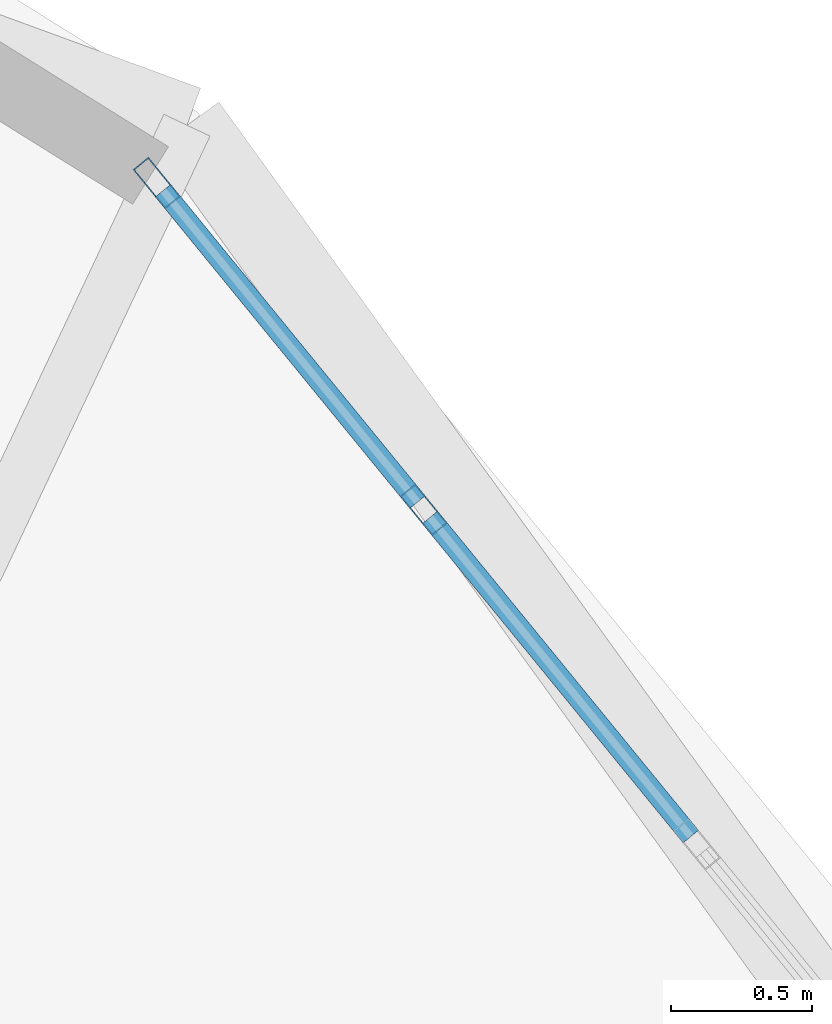
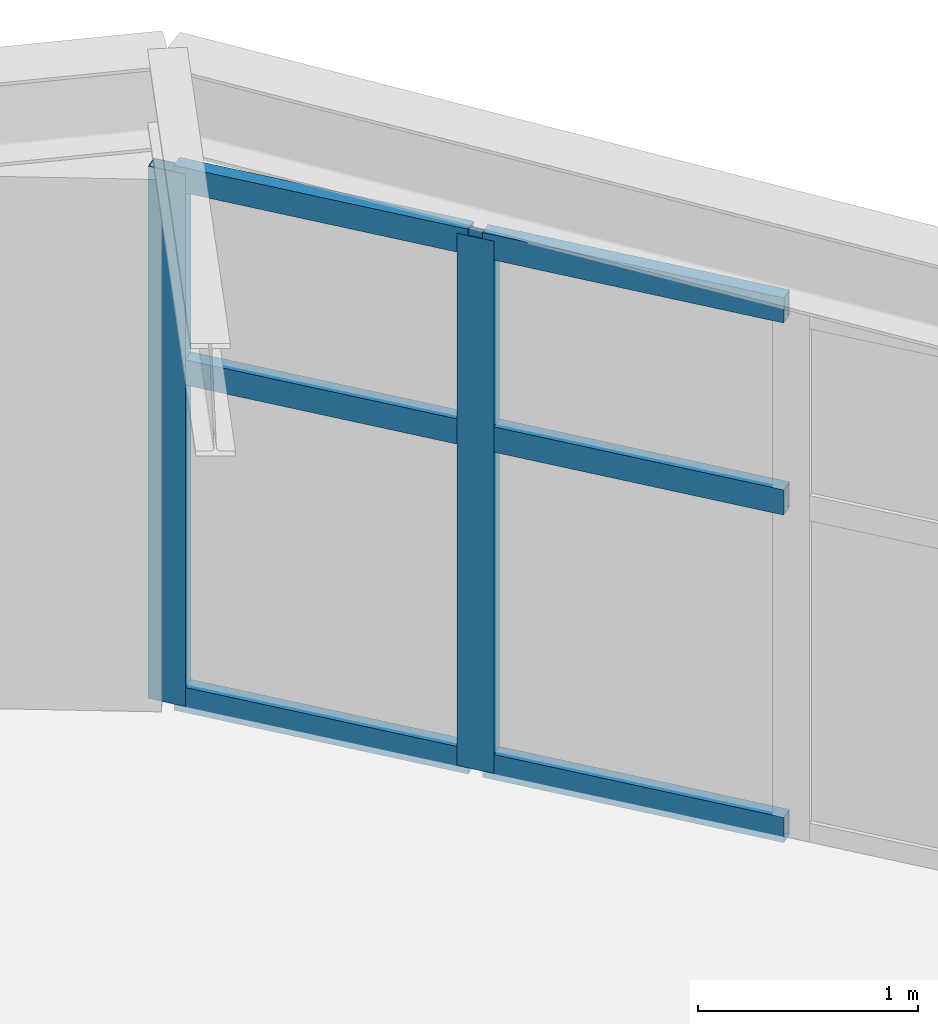
# One storey, part 8 of 19: 8 members, 1 element without a shape of its own.
"""IFC4 building model written with IfcOpenShell, lengths in metres."""

import ifcopenshell
import ifcopenshell.guid

model = None  # the IFC model being written
_history = None  # IfcOwnerHistory: only IFC2X3 demands one
_inside = {}  # id of a spatial element -> (the spatial element, [elements in it])
_under = {}  # id of a project, library or spatial element -> (it, [spatial elements below it])
_declared = {}  # id of a project -> (the project, [libraries it declares])
_typed = {}  # id of a type object -> (the type object, [elements of that type])
_made_of = {}  # id of a material, layer set ... -> (it, [elements and type objects made of it])


def new_model(schema):
    """Start an empty IFC model of exactly this schema.

    Asked for "IFC4X3", IfcOpenShell would pick the latest addendum, in which some entities
    have other attributes; the version numbers below select the first issue.
    IFC2X3 requires an IfcOwnerHistory on every rooted entity: one is made here for all.
    """
    global model, _history
    if schema == "IFC4X3":
        model = ifcopenshell.file(schema_version=(4, 3, 0, 0))
    else:
        model = ifcopenshell.file(schema=schema)
    _inside.clear()
    _under.clear()
    _declared.clear()
    _typed.clear()
    _made_of.clear()
    _history = None
    if model.schema == "IFC2X3":
        org = make("IfcOrganization", Name="unknown")
        user = make(
            "IfcPersonAndOrganization",
            ThePerson=make("IfcPerson", FamilyName="unknown"),
            TheOrganization=org,
        )
        app = make(
            "IfcApplication",
            ApplicationDeveloper=org,
            Version="unknown",
            ApplicationFullName="unknown",
            ApplicationIdentifier="unknown",
        )
        _history = make(
            "IfcOwnerHistory",
            OwningUser=user,
            OwningApplication=app,
            ChangeAction="ADDED",
            CreationDate=0,
        )
    return model


def make(cls, **values):
    """One entity of the class cls with the attributes given. An attribute that is None is left unset."""
    return model.create_entity(
        cls, **{name: value for name, value in values.items() if value is not None}
    )


def rooted(cls, **values):
    """An entity with a GlobalId (a new one), such as an element, a storey or a relation."""
    return make(cls, GlobalId=ifcopenshell.guid.new(), OwnerHistory=_history, **values)


def si_unit(unit_type, name, prefix=None):
    """IfcSIUnit, for example si_unit("LENGTHUNIT", "METRE", prefix="MILLI")."""
    return make("IfcSIUnit", UnitType=unit_type, Prefix=prefix, Name=name)


def assignment(units):
    """IfcUnitAssignment: the units of a project."""
    return None if units is None else make("IfcUnitAssignment", Units=units)


def point(xyz):
    """IfcCartesianPoint."""
    return None if xyz is None else make("IfcCartesianPoint", Coordinates=xyz)


def direction(xyz):
    """IfcDirection."""
    return None if xyz is None else make("IfcDirection", DirectionRatios=xyz)


def frame(location, z_axis=None, x_axis=None):
    """IfcAxis2Placement3D, a coordinate frame: its origin and axes. An axis left out is left unset."""
    return make(
        "IfcAxis2Placement3D",
        Location=point(location),
        Axis=direction(z_axis),
        RefDirection=direction(x_axis),
    )


def frame_2d(location, x_axis=None):
    """IfcAxis2Placement2D, a coordinate frame in the plane: its origin and x axis."""
    return make(
        "IfcAxis2Placement2D", Location=point(location), RefDirection=direction(x_axis)
    )


def origin():
    """The frame at (0, 0, 0) with its axes left unset."""
    return frame((0.0, 0.0, 0.0))


def origin_2d():
    """The frame at (0, 0) in the plane with its x axis left unset."""
    return frame_2d((0.0, 0.0))


def place(relative_to, where):
    """IfcLocalPlacement: puts the frame where relative to a parent placement (None: the world)."""
    return make(
        "IfcLocalPlacement", PlacementRelTo=relative_to, RelativePlacement=where
    )


def context(
    kind, dimensions, precision=None, world=None, true_north=None, identifier=None
):
    """IfcGeometricRepresentationContext, for example the 3D "Model" context."""
    return make(
        "IfcGeometricRepresentationContext",
        ContextIdentifier=identifier,
        ContextType=kind,
        CoordinateSpaceDimension=dimensions,
        Precision=precision,
        WorldCoordinateSystem=world,
        TrueNorth=true_north,
    )


def subcontext(parent, identifier, kind, view, scale=None):
    """IfcGeometricRepresentationSubContext, for example "Body" below "Model"."""
    return make(
        "IfcGeometricRepresentationSubContext",
        ContextIdentifier=identifier,
        ContextType=kind,
        ParentContext=parent,
        TargetScale=scale,
        TargetView=view,
    )


def project(units=None, contexts=None):
    """IfcProject with its units and contexts."""
    return rooted(
        "IfcProject",
        Name="project",
        RepresentationContexts=contexts,
        UnitsInContext=assignment(units),
    )


def spatial(cls, under=None, at=None, **own):
    """A site, building, storey or space (cls), placed at a placement, below another one or the project."""
    s = rooted(cls, ObjectPlacement=at, **own)
    if under is not None:
        _under.setdefault(under.id(), (under, []))[1].append(s)
    return s


def profile(cls, at=None, kind="AREA", **sizes):
    """A parametric profile (cls). Its sizes go by their IFC names, for example OverallWidth=200.0."""
    return make(cls, ProfileType=kind, Position=at, **sizes)


def hollow_rectangle(**sizes):
    """IfcRectangleHollowProfileDef."""
    return profile("IfcRectangleHollowProfileDef", **sizes)


def extrude(swept, where, along, depth):
    """IfcExtrudedAreaSolid: the profile swept, set in the frame where, extruded along a direction by depth."""
    return make(
        "IfcExtrudedAreaSolid",
        SweptArea=swept,
        Position=where,
        ExtrudedDirection=direction(along),
        Depth=depth,
    )


def shape(context_of_items, identifier, shape_type, items):
    """IfcShapeRepresentation: the items that make up one representation, for example the "Body"."""
    return make(
        "IfcShapeRepresentation",
        ContextOfItems=context_of_items,
        RepresentationIdentifier=identifier,
        RepresentationType=shape_type,
        Items=items,
    )


def material(Name=None, Category=None):
    """IfcMaterial."""
    return make("IfcMaterial", Name=Name, Category=Category)


def layer(
    of_material, thickness, ventilated=None, Name=None, Category=None, Priority=None
):
    """IfcMaterialLayer: one layer of a wall or slab, of a material (None: an air gap)."""
    return make(
        "IfcMaterialLayer",
        Material=of_material,
        LayerThickness=thickness,
        IsVentilated=ventilated,
        Name=Name,
        Category=Category,
        Priority=Priority,
    )


def layer_set(layers, Name=None):
    """IfcMaterialLayerSet."""
    return make("IfcMaterialLayerSet", MaterialLayers=layers, LayerSetName=Name)


def material_profile(
    of_material, cross_section, Name=None, Category=None, Priority=None
):
    """IfcMaterialProfile: a cross section and its material."""
    return make(
        "IfcMaterialProfile",
        Name=Name,
        Material=of_material,
        Profile=cross_section,
        Priority=Priority,
        Category=Category,
    )


def profile_set(profiles, Name=None, composite=None):
    """IfcMaterialProfileSet."""
    return make(
        "IfcMaterialProfileSet",
        Name=Name,
        MaterialProfiles=profiles,
        CompositeProfile=composite,
    )


def made_of(thing, what):
    """Note that an element or type object is made of a material, layer set ...; save() writes the relation."""
    if what is not None:
        _made_of.setdefault(what.id(), (what, []))[1].append(thing)
    return thing


def type_object(cls, material=None, **own):
    """A type object (cls), such as IfcWallType, which elements share."""
    return made_of(rooted(cls, **own), material)


def element(
    cls,
    number,
    at=None,
    inside=None,
    cuts=None,
    type_object=None,
    material=None,
    context=None,
    identifier="Body",
    shape_type=None,
    held_by="IfcProductDefinitionShape",
    body=None,
    shapes=None,
    **own,
):
    """One element of the class cls, such as IfcWall. Its Tag is "e" and its number.

    at: its placement. inside: the storey or other place that contains it. cuts: it is an
    opening in that element (IfcRelVoidsElement). A single representation is given by context,
    identifier, shape_type and body (its items); several are given by shapes. held_by: the class
    of the entity that holds the representations. save() writes the other relations.
    """
    e = rooted(cls, Tag="e%d" % number, ObjectPlacement=at, **own)
    if body is not None:
        shapes = [shape(context, identifier, shape_type, body)]
    if shapes is not None:
        e.Representation = make(held_by, Representations=shapes)
    if inside is not None:
        _inside.setdefault(inside.id(), (inside, []))[1].append(e)
    if cuts is not None:
        rooted(
            "IfcRelVoidsElement", RelatingBuildingElement=cuts, RelatedOpeningElement=e
        )
    if type_object is not None:
        _typed.setdefault(type_object.id(), (type_object, []))[1].append(e)
    return made_of(e, material)


def aggregate(whole, parts):
    """IfcRelAggregates: a whole, such as a stair, and the parts it consists of."""
    return rooted("IfcRelAggregates", RelatingObject=whole, RelatedObjects=parts)


def save(model, path):
    """Write the relations noted so far, then the file.

    IfcRelAggregates (storeys below a building ...), IfcRelContainedInSpatialStructure (elements
    in a storey), IfcRelDefinesByType, IfcRelAssociatesMaterial and IfcRelDeclares: one each for
    every whole, place, type object, material and project.
    """
    for whole, parts in _under.values():
        aggregate(whole, parts)
    for where, things in _inside.values():
        rooted(
            "IfcRelContainedInSpatialStructure",
            RelatedElements=things,
            RelatingStructure=where,
        )
    for kind, things in _typed.values():
        rooted("IfcRelDefinesByType", RelatedObjects=things, RelatingType=kind)
    for what, things in _made_of.values():
        rooted("IfcRelAssociatesMaterial", RelatedObjects=things, RelatingMaterial=what)
    for by, libraries in _declared.values():
        rooted("IfcRelDeclares", RelatingContext=by, RelatedDefinitions=libraries)
    model.write(path)


model = new_model("IFC4")

# Units and contexts
model_context = context("Model", 3, precision=1e-05, world=origin(), true_north=direction((0.0, 1.0)))
body_context = subcontext(model_context, "Body", "Model", "MODEL_VIEW")
ifc_project = project(units=[si_unit("LENGTHUNIT", "METRE"), si_unit("AREAUNIT", "SQUARE_METRE"), si_unit("VOLUMEUNIT", "CUBIC_METRE"), si_unit("PLANEANGLEUNIT", "RADIAN"), si_unit("MASSUNIT", "GRAM", prefix="KILO")], contexts=[model_context])

# Site, building, storey
site_placement = place(None, origin())
site = spatial("IfcSite", under=ifc_project, at=site_placement, CompositionType="ELEMENT")
building_placement = place(site_placement, origin())
building = spatial("IfcBuilding", under=site, at=building_placement, Name="Cununo Teusaquillo Station Towers", CompositionType="ELEMENT")
storey_placement = place(building_placement, frame((0.0, 0.0, 132.8798828125)))
storey = spatial("IfcBuildingStorey", under=building, at=storey_placement, Name="L42", CompositionType="ELEMENT", Elevation=132.8798828125)

# Curtain wall, members
ifc_material_1 = material(Name="Ceramic-fritted dark low-E double glazing", Category="glass")
ifc_layer = layer(ifc_material_1, 0.179931640625)
ifc_layer_set = layer_set([ifc_layer], Name="Ceramic-fritted dark low-E double glazing")
curtain_wall_type = type_object("IfcCurtainWallType", Name="CW-SYS-04", PredefinedType="USERDEFINED", material=ifc_layer_set)
curtain_wall_placement = place(storey_placement, origin())
curtain_wall = element("IfcCurtainWall", 1, at=curtain_wall_placement, inside=storey, type_object=curtain_wall_type, Name="L42 Tower A Facade Curtain Wall C02", ObjectType="FRITTED GLAZING", PredefinedType="USERDEFINED")
ifc_material_2 = material(Name="Anodised dark bronze aluminium EN AW-6063-T6", Category="aluminium")
ifc_material_profile_1 = material_profile(ifc_material_2, hollow_rectangle(XDim=0.070068359375, YDim=0.179931640625, WallThickness=0.00390625, at=origin_2d()), Name="CW-MULL-70x180")
ifc_profile_set_1 = profile_set([ifc_material_profile_1], Name="Anodised dark bronze aluminium EN AW-6063-T6")
member_type_1 = type_object("IfcMemberType", Name="CWM-180", PredefinedType="MULLION", material=ifc_profile_set_1)
member_1_placement = place(storey_placement, frame((25.680419921875, 39.90087890625, 0.0), z_axis=(0.0, 0.0, 1.0), x_axis=(0.774394127889, 0.63270351247, 0.0)))
member_1 = element("IfcMember", 2, at=member_1_placement, type_object=member_type_1, Name="CW-04 mullion 1", PredefinedType="MULLION", context=body_context, shape_type="SweptSolid", body=[
    extrude(hollow_rectangle(XDim=0.070068359375, YDim=0.179931640625, WallThickness=0.00390625, at=origin_2d()), origin(), (0.0, 0.0, 1.0), 2.94921875),
])
member_2_placement = place(storey_placement, frame((26.6279296875, 38.7412109375, 0.0), z_axis=(0.0, 0.0, 1.0), x_axis=(0.774394127889, 0.63270351247, 0.0)))
member_2 = element("IfcMember", 3, at=member_2_placement, type_object=member_type_1, Name="CW-04 mullion 2", PredefinedType="MULLION", context=body_context, shape_type="SweptSolid", body=[
    extrude(hollow_rectangle(XDim=0.070068359375, YDim=0.179931640625, WallThickness=0.00390625, at=origin_2d()), origin(), (0.0, 0.0, 1.0), 2.94921875),
])
ifc_material_3 = material(Name="Anodised dark bronze aluminium EN AW-6063-T6", Category="aluminium")
ifc_material_profile_2 = material_profile(ifc_material_3, hollow_rectangle(XDim=0.070068359375, YDim=0.139892578125, WallThickness=0.00390625, at=origin_2d()), Name="CW-TRAN-70x140")
ifc_profile_set_2 = profile_set([ifc_material_profile_2], Name="Anodised dark bronze aluminium EN AW-6063-T6")
member_type_2 = type_object("IfcMemberType", Name="CWT-140", PredefinedType="USERDEFINED", material=ifc_profile_set_2)
member_3_placement = place(storey_placement, frame((25.70263671875, 39.873779296875, 0.03515625), z_axis=(0.632753407608, -0.774353359365, 0.0), x_axis=(0.774353359365, 0.632753407608, 0.0)))
member_3 = element("IfcMember", 4, at=member_3_placement, type_object=member_type_2, Name="CW-04 transom 1.1", ObjectType="TRANSOM", PredefinedType="USERDEFINED", context=body_context, shape_type="SweptSolid", body=[
    extrude(hollow_rectangle(XDim=0.070068359375, YDim=0.139892578125, WallThickness=0.00390625, at=origin_2d()), origin(), (0.0, 0.0, 1.0), 1.427490234375),
])
member_4_placement = place(storey_placement, frame((25.70263671875, 39.873779296875, 1.85009765625), z_axis=(0.632753407608, -0.774353359365, 0.0), x_axis=(0.774353359365, 0.632753407608, 0.0)))
member_4 = element("IfcMember", 5, at=member_4_placement, type_object=member_type_2, Name="CW-04 transom 1.2", ObjectType="TRANSOM", PredefinedType="USERDEFINED", context=body_context, shape_type="SweptSolid", body=[
    extrude(hollow_rectangle(XDim=0.070068359375, YDim=0.139892578125, WallThickness=0.00390625, at=origin_2d()), origin(), (0.0, 0.0, 1.0), 1.427490234375),
])
member_5_placement = place(storey_placement, frame((25.70263671875, 39.873779296875, 2.9140625), z_axis=(0.632753407608, -0.774353359365, 0.0), x_axis=(0.774353359365, 0.632753407608, 0.0)))
member_5 = element("IfcMember", 6, at=member_5_placement, type_object=member_type_2, Name="CW-04 transom 1.3", ObjectType="TRANSOM", PredefinedType="USERDEFINED", context=body_context, shape_type="SweptSolid", body=[
    extrude(hollow_rectangle(XDim=0.070068359375, YDim=0.139892578125, WallThickness=0.00390625, at=origin_2d()), origin(), (0.0, 0.0, 1.0), 1.427490234375),
])
member_6_placement = place(storey_placement, frame((26.650146484375, 38.714111328125, 0.03515625), z_axis=(0.632701424025, -0.774395834207, 0.0), x_axis=(0.774395834207, 0.632701424025, 0.0)))
member_6 = element("IfcMember", 7, at=member_6_placement, type_object=member_type_2, Name="CW-04 transom 2.1", ObjectType="TRANSOM", PredefinedType="USERDEFINED", context=body_context, shape_type="SweptSolid", body=[
    extrude(hollow_rectangle(XDim=0.070068359375, YDim=0.139892578125, WallThickness=0.00390625, at=origin_2d()), origin(), (0.0, 0.0, 1.0), 1.462890625),
])
member_7_placement = place(storey_placement, frame((26.650146484375, 38.714111328125, 1.85009765625), z_axis=(0.632701424025, -0.774395834207, 0.0), x_axis=(0.774395834207, 0.632701424025, 0.0)))
member_7 = element("IfcMember", 8, at=member_7_placement, type_object=member_type_2, Name="CW-04 transom 2.2", ObjectType="TRANSOM", PredefinedType="USERDEFINED", context=body_context, shape_type="SweptSolid", body=[
    extrude(hollow_rectangle(XDim=0.070068359375, YDim=0.139892578125, WallThickness=0.00390625, at=origin_2d()), origin(), (0.0, 0.0, 1.0), 1.462890625),
])
member_8_placement = place(storey_placement, frame((26.650146484375, 38.714111328125, 2.9140625), z_axis=(0.632701424025, -0.774395834207, 0.0), x_axis=(0.774395834207, 0.632701424025, 0.0)))
member_8 = element("IfcMember", 9, at=member_8_placement, type_object=member_type_2, Name="CW-04 transom 2.3", ObjectType="TRANSOM", PredefinedType="USERDEFINED", context=body_context, shape_type="SweptSolid", body=[
    extrude(hollow_rectangle(XDim=0.070068359375, YDim=0.139892578125, WallThickness=0.00390625, at=origin_2d()), origin(), (0.0, 0.0, 1.0), 1.462890625),
])
aggregate(curtain_wall, [member_1, member_2, member_3, member_4, member_5, member_6, member_7, member_8])

save(model, "model.ifc")
